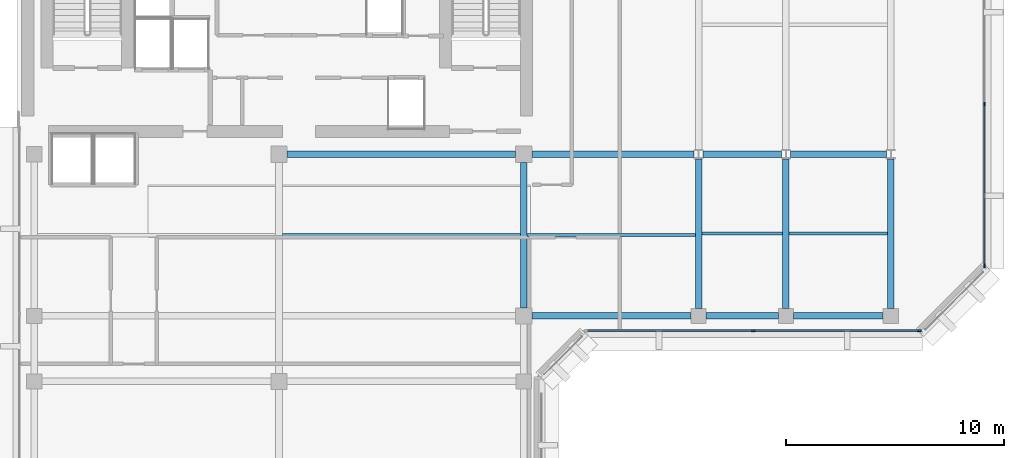
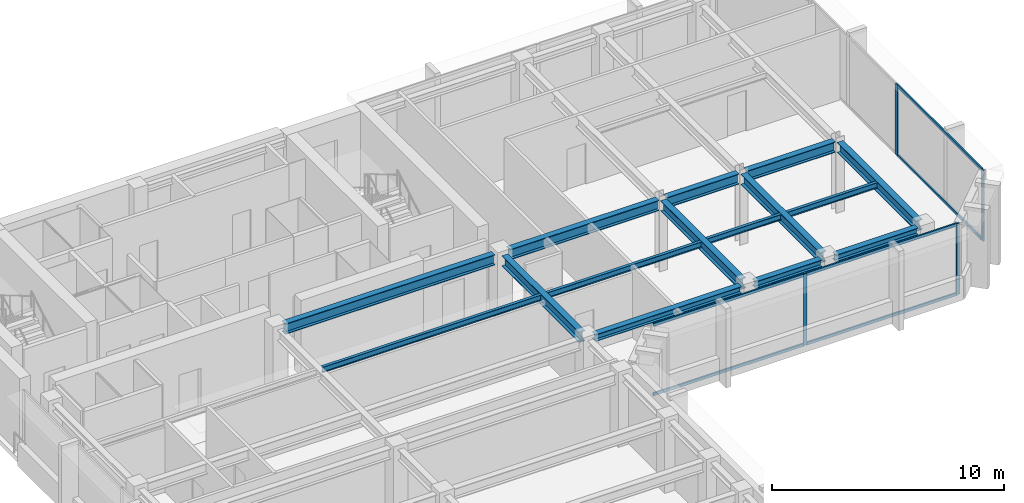
# One storey, part 3 of 12: 15 beams, 10 members, 2 elements without a shape of their own.
"""IFC4 building model written with IfcOpenShell, lengths in metres."""

from ifc_helpers import new_model, si_unit, direction, frame, origin, origin_2d, place, context, subcontext, project, spatial, rectangle, i_section, extrude, material, layer, layer_set, material_profile, profile_set, type_object, element, aggregate, save


model = new_model("IFC4")

# Units and contexts
model_context = context("Model", 3, precision=1e-05, world=origin(), true_north=direction((0.0, 1.0)))
body_context = subcontext(model_context, "Body", "Model", "MODEL_VIEW")
ifc_project = project(units=[si_unit("LENGTHUNIT", "METRE"), si_unit("AREAUNIT", "SQUARE_METRE"), si_unit("VOLUMEUNIT", "CUBIC_METRE"), si_unit("PLANEANGLEUNIT", "RADIAN"), si_unit("MASSUNIT", "GRAM", prefix="KILO")], contexts=[model_context])

# Site, building, storey
site_placement = place(None, origin())
site = spatial("IfcSite", under=ifc_project, at=site_placement, CompositionType="ELEMENT")
building_placement = place(site_placement, origin())
building = spatial("IfcBuilding", under=site, at=building_placement, Name="Kefirva Bronze Tower", CompositionType="ELEMENT")
storey_placement = place(building_placement, frame((0.0, 0.0, 339.570068359375)))
storey = spatial("IfcBuildingStorey", under=building, at=storey_placement, Name="L83", CompositionType="ELEMENT", Elevation=339.570068359375)

# Curtain wall, members
ifc_material_1 = material(Name="Bronze anodised aluminium", Category="aluminium")
ifc_layer = layer(ifc_material_1, 0.179931640625, Name="Bronze anodised aluminium")
ifc_layer_set = layer_set([ifc_layer], Name="Bronze anodised aluminium")
curtain_wall_type = type_object("IfcCurtainWallType", Name="Unitised Bronze Ribbon Curtain Wall Zone 4", PredefinedType="USERDEFINED", material=ifc_layer_set)
curtain_wall_1_placement = place(storey_placement, origin())
curtain_wall_1 = element("IfcCurtainWall", 1, at=curtain_wall_1_placement, inside=storey, type_object=curtain_wall_type, Name="L83 Curtain Wall 1", ObjectType="UNITISED CURTAIN WALL", PredefinedType="USERDEFINED")
ifc_material_profile_1 = material_profile(ifc_material_1, rectangle(XDim=0.074951171875, YDim=0.179931640625, at=origin_2d()), Name="ALU 75x180")
ifc_profile_set_1 = profile_set([ifc_material_profile_1], Name="Bronze anodised aluminium")
member_type_1 = type_object("IfcMemberType", Name="Bronze Mullion 75x180", PredefinedType="MULLION", material=ifc_profile_set_1)
member_1_placement = place(storey_placement, frame((33.699951171875, 25.1201171875, 0.0), z_axis=(0.0, 0.0, 1.0), x_axis=(0.0, 1.0, 0.0)))
member_1 = element("IfcMember", 2, at=member_1_placement, type_object=member_type_1, Name="CW-04 mullion 2", PredefinedType="MULLION", context=body_context, shape_type="SweptSolid", body=[
    extrude(rectangle(XDim=0.074951171875, YDim=0.179931640625, at=origin_2d()), origin(), (0.0, 0.0, 1.0), 3.739990234375),
])
member_2_placement = place(storey_placement, frame((41.3076171875, 25.1201171875, 0.0), z_axis=(0.0, 0.0, 1.0), x_axis=(0.0, 1.0, 0.0)))
member_2 = element("IfcMember", 3, at=member_2_placement, type_object=member_type_1, Name="CW-04 mullion 3", PredefinedType="MULLION", context=body_context, shape_type="SweptSolid", body=[
    extrude(rectangle(XDim=0.074951171875, YDim=0.179931640625, at=origin_2d()), origin(), (0.0, 0.0, 1.0), 3.739990234375),
])

curtain_wall_2_placement = place(storey_placement, origin())
curtain_wall_2 = element("IfcCurtainWall", 4, at=curtain_wall_2_placement, inside=storey, type_object=curtain_wall_type, Name="L83 Curtain Wall 2", ObjectType="UNITISED CURTAIN WALL", PredefinedType="USERDEFINED")
member_3_placement = place(storey_placement, frame((44.280029296875, 28.092529296875, 0.0), z_axis=(0.0, 0.0, 1.0), x_axis=(-1.0, 0.0, 0.0)))
member_3 = element("IfcMember", 5, at=member_3_placement, type_object=member_type_1, Name="CW-04 mullion 1", PredefinedType="MULLION", context=body_context, shape_type="SweptSolid", body=[
    extrude(rectangle(XDim=0.074951171875, YDim=0.179931640625, at=origin_2d()), origin(), (0.0, 0.0, 1.0), 3.739990234375),
])
member_4_placement = place(storey_placement, frame((44.280029296875, 35.5, 0.0), z_axis=(0.0, 0.0, 1.0), x_axis=(-1.0, 0.0, 0.0)))
member_4 = element("IfcMember", 6, at=member_4_placement, type_object=member_type_1, Name="CW-04 mullion 2", PredefinedType="MULLION", context=body_context, shape_type="SweptSolid", body=[
    extrude(rectangle(XDim=0.074951171875, YDim=0.179931640625, at=origin_2d()), origin(), (0.0, 0.0, 1.0), 3.739990234375),
])

# Member
ifc_material_profile_2 = material_profile(ifc_material_1, rectangle(XDim=0.074951171875, YDim=0.14990234375, at=origin_2d()), Name="ALU 75x150")
ifc_profile_set_2 = profile_set([ifc_material_profile_2], Name="Bronze anodised aluminium")
member_type_2 = type_object("IfcMemberType", Name="Bronze Transom 75x150", PredefinedType="USERDEFINED", material=ifc_profile_set_2)
member_5_placement = place(storey_placement, frame((26.1298828125, 25.1201171875, 0.037353515625), z_axis=(1.0, 0.0, 0.0), x_axis=(0.0, 1.0, 0.0)))
member_5 = element("IfcMember", 7, at=member_5_placement, type_object=member_type_2, Name="CW-04 transom 1.1", ObjectType="TRANSOM", PredefinedType="USERDEFINED", context=body_context, shape_type="SweptSolid", body=[
    extrude(rectangle(XDim=0.074951171875, YDim=0.14990234375, at=origin_2d()), origin(), (0.0, 0.0, 1.0), 7.53271484375),
])

member_6_placement = place(storey_placement, frame((26.1298828125, 25.1201171875, 3.702392578125), z_axis=(1.0, 0.0, 0.0), x_axis=(0.0, 1.0, 0.0)))
member_6 = element("IfcMember", 8, at=member_6_placement, type_object=member_type_2, Name="CW-04 transom 1.2", ObjectType="TRANSOM", PredefinedType="USERDEFINED", context=body_context, shape_type="SweptSolid", body=[
    extrude(rectangle(XDim=0.074951171875, YDim=0.14990234375, at=origin_2d()), origin(), (0.0, 0.0, 1.0), 7.53271484375),
])

member_7_placement = place(storey_placement, frame((33.737548828125, 25.1201171875, 0.037353515625), z_axis=(1.0, 0.0, 0.0), x_axis=(0.0, 1.0, 0.0)))
member_7 = element("IfcMember", 9, at=member_7_placement, type_object=member_type_2, Name="CW-04 transom 2.1", ObjectType="TRANSOM", PredefinedType="USERDEFINED", context=body_context, shape_type="SweptSolid", body=[
    extrude(rectangle(XDim=0.074951171875, YDim=0.14990234375, at=origin_2d()), origin(), (0.0, 0.0, 1.0), 7.532470703125),
])

member_8_placement = place(storey_placement, frame((33.737548828125, 25.1201171875, 3.702392578125), z_axis=(1.0, 0.0, 0.0), x_axis=(0.0, 1.0, 0.0)))
member_8 = element("IfcMember", 10, at=member_8_placement, type_object=member_type_2, Name="CW-04 transom 2.2", ObjectType="TRANSOM", PredefinedType="USERDEFINED", context=body_context, shape_type="SweptSolid", body=[
    extrude(rectangle(XDim=0.074951171875, YDim=0.14990234375, at=origin_2d()), origin(), (0.0, 0.0, 1.0), 7.532470703125),
])

aggregate(curtain_wall_1, [member_1, member_2, member_5, member_6, member_7, member_8])

member_9_placement = place(storey_placement, frame((44.280029296875, 28.1298828125, 0.037353515625), z_axis=(0.0, 1.0, 0.0), x_axis=(-1.0, 0.0, 0.0)))
member_9 = element("IfcMember", 11, at=member_9_placement, type_object=member_type_2, Name="CW-04 transom 1.1", ObjectType="TRANSOM", PredefinedType="USERDEFINED", context=body_context, shape_type="SweptSolid", body=[
    extrude(rectangle(XDim=0.074951171875, YDim=0.14990234375, at=origin_2d()), origin(), (0.0, 0.0, 1.0), 7.33251953125),
])

member_10_placement = place(storey_placement, frame((44.280029296875, 28.1298828125, 3.702392578125), z_axis=(0.0, 1.0, 0.0), x_axis=(-1.0, 0.0, 0.0)))
member_10 = element("IfcMember", 12, at=member_10_placement, type_object=member_type_2, Name="CW-04 transom 1.2", ObjectType="TRANSOM", PredefinedType="USERDEFINED", context=body_context, shape_type="SweptSolid", body=[
    extrude(rectangle(XDim=0.074951171875, YDim=0.14990234375, at=origin_2d()), origin(), (0.0, 0.0, 1.0), 7.33251953125),
])

aggregate(curtain_wall_2, [member_3, member_4, member_9, member_10])

# Beams
ifc_material_2 = material(Name="Steel S355", Category="steel")
ifc_material_profile_3 = material_profile(ifc_material_2, i_section(OverallWidth=0.14990234375, OverallDepth=0.300048828125, WebThickness=0.007080078125, FlangeThickness=0.0107421875, at=origin_2d()), Name="IPE 300")
ifc_profile_set_3 = profile_set([ifc_material_profile_3], Name="Steel S355")
beam_type_1 = type_object("IfcBeamType", Name="Steel Floor Joist IPE 300", PredefinedType="JOIST", material=ifc_profile_set_3)
beam_1_placement = place(storey_placement, frame((12.14990234375, 29.5, 3.58984375), z_axis=(1.0, 0.0, 0.0), x_axis=(0.0, 1.0, 0.0)))
element("IfcBeam", 13, at=beam_1_placement, inside=storey, type_object=beam_type_1, Name="L83 JST-L83-12-295", PredefinedType="JOIST", context=body_context, shape_type="SweptSolid", body=[
    extrude(i_section(OverallWidth=0.14990234375, OverallDepth=0.300048828125, WebThickness=0.007080078125, FlangeThickness=0.0107421875, at=origin_2d()), origin(), (0.0, 0.0, 1.0), 10.900146484375),
])
beam_2_placement = place(storey_placement, frame((23.35009765625, 29.5, 3.58984375), z_axis=(1.0, 0.0, 0.0), x_axis=(0.0, 1.0, 0.0)))
element("IfcBeam", 14, at=beam_2_placement, inside=storey, type_object=beam_type_1, Name="L83 JST-L83-23-295", PredefinedType="JOIST", context=body_context, shape_type="SweptSolid", body=[
    extrude(i_section(OverallWidth=0.14990234375, OverallDepth=0.300048828125, WebThickness=0.007080078125, FlangeThickness=0.0107421875, at=origin_2d()), origin(), (0.0, 0.0, 1.0), 7.699951171875),
])
beam_3_placement = place(storey_placement, frame((31.35009765625, 29.571044921875, 3.58984375), z_axis=(1.0, 0.0, 0.0), x_axis=(0.0, 1.0, 0.0)))
element("IfcBeam", 15, at=beam_3_placement, inside=storey, type_object=beam_type_1, Name="L83 JST-L83-31-295", PredefinedType="JOIST", context=body_context, shape_type="SweptSolid", body=[
    extrude(i_section(OverallWidth=0.14990234375, OverallDepth=0.300048828125, WebThickness=0.007080078125, FlangeThickness=0.0107421875, at=origin_2d()), origin(), (0.0, 0.0, 1.0), 3.699951171875),
])
beam_4_placement = place(storey_placement, frame((35.35009765625, 29.571044921875, 3.58984375), z_axis=(1.0, 0.0, 0.0), x_axis=(0.0, 1.0, 0.0)))
element("IfcBeam", 16, at=beam_4_placement, inside=storey, type_object=beam_type_1, Name="L83 JST-L83-35-295", PredefinedType="JOIST", context=body_context, shape_type="SweptSolid", body=[
    extrude(i_section(OverallWidth=0.14990234375, OverallDepth=0.300048828125, WebThickness=0.007080078125, FlangeThickness=0.0107421875, at=origin_2d()), origin(), (0.0, 0.0, 1.0), 4.5),
])
ifc_material_profile_4 = material_profile(ifc_material_2, i_section(OverallWidth=0.300048828125, OverallDepth=0.550048828125, WebThickness=0.014892578125, FlangeThickness=0.029052734375, at=origin_2d()), Name="HEB 550")
ifc_profile_set_4 = profile_set([ifc_material_profile_4], Name="Steel S355")
beam_type_2 = type_object("IfcBeamType", Name="Steel Girder HEB 550", PredefinedType="USERDEFINED", material=ifc_profile_set_4)
beam_5_placement = place(storey_placement, frame((12.3701171875, 33.199951171875, 3.46484375), z_axis=(1.0, 0.0, 0.0), x_axis=(0.0, 1.0, 0.0)))
element("IfcBeam", 17, at=beam_5_placement, inside=storey, type_object=beam_type_2, Name="L83 BM-L83-EW-12-332", ObjectType="GIRDER", PredefinedType="USERDEFINED", context=body_context, shape_type="SweptSolid", body=[
    extrude(i_section(OverallWidth=0.300048828125, OverallDepth=0.550048828125, WebThickness=0.014892578125, FlangeThickness=0.029052734375, at=origin_2d()), origin(), (0.0, 0.0, 1.0), 10.4599609375),
])
beam_6_placement = place(storey_placement, frame((23.570068359375, 33.199951171875, 3.46484375), z_axis=(1.0, 0.0, 0.0), x_axis=(0.0, 1.0, 0.0)))
element("IfcBeam", 18, at=beam_6_placement, inside=storey, type_object=beam_type_2, Name="L83 BM-L83-EW-23-332", ObjectType="GIRDER", PredefinedType="USERDEFINED", context=body_context, shape_type="SweptSolid", body=[
    extrude(i_section(OverallWidth=0.300048828125, OverallDepth=0.550048828125, WebThickness=0.014892578125, FlangeThickness=0.029052734375, at=origin_2d()), origin(), (0.0, 0.0, 1.0), 7.427001953125),
])
beam_7_placement = place(storey_placement, frame((31.403076171875, 33.199951171875, 3.46484375), z_axis=(1.0, 0.0, 0.0), x_axis=(0.0, 1.0, 0.0)))
element("IfcBeam", 19, at=beam_7_placement, inside=storey, type_object=beam_type_2, Name="L83 BM-L83-EW-31-332", ObjectType="GIRDER", PredefinedType="USERDEFINED", context=body_context, shape_type="SweptSolid", body=[
    extrude(i_section(OverallWidth=0.300048828125, OverallDepth=0.550048828125, WebThickness=0.014892578125, FlangeThickness=0.029052734375, at=origin_2d()), origin(), (0.0, 0.0, 1.0), 3.593994140625),
])
beam_8_placement = place(storey_placement, frame((35.403076171875, 33.199951171875, 3.46484375), z_axis=(1.0, 0.0, 0.0), x_axis=(0.0, 1.0, 0.0)))
element("IfcBeam", 20, at=beam_8_placement, inside=storey, type_object=beam_type_2, Name="L83 BM-L83-EW-35-332", ObjectType="GIRDER", PredefinedType="USERDEFINED", context=body_context, shape_type="SweptSolid", body=[
    extrude(i_section(OverallWidth=0.300048828125, OverallDepth=0.550048828125, WebThickness=0.014892578125, FlangeThickness=0.029052734375, at=origin_2d()), origin(), (0.0, 0.0, 1.0), 4.39404296875),
])
beam_9_placement = place(storey_placement, frame((23.199951171875, 26.169921875, 3.46484375), z_axis=(0.0, 1.0, 0.0), x_axis=(-1.0, 0.0, 0.0)))
element("IfcBeam", 21, at=beam_9_placement, inside=storey, type_object=beam_type_2, Name="L83 BM-L83-NS-232-25", ObjectType="GIRDER", PredefinedType="USERDEFINED", context=body_context, shape_type="SweptSolid", body=[
    extrude(i_section(OverallWidth=0.300048828125, OverallDepth=0.550048828125, WebThickness=0.014892578125, FlangeThickness=0.029052734375, at=origin_2d()), origin(), (0.0, 0.0, 1.0), 6.66015625),
])
for number, where, z_axis, x_axis, name in (
    (22, (31.199951171875, 26.14990234375, 3.46484375), (0.0, 1.0, 0.0), (-1.0, 0.0, 0.0), "L83 BM-L83-NS-312-25"),
    (23, (35.199951171875, 26.14990234375, 3.46484375), (0.0, 1.0, 0.0), (-1.0, 0.0, 0.0), "L83 BM-L83-NS-352-25"),
    (24, (40.0, 26.14990234375, 3.46484375), (0.0, 1.0, 0.0), (-1.0, 0.0, 0.0), "L83 BM-L83-NS-400-25"),
):
    element("IfcBeam", number, at=place(storey_placement, frame(where, z_axis=z_axis, x_axis=x_axis)), inside=storey, type_object=beam_type_2, Name=name, ObjectType="GIRDER", PredefinedType="USERDEFINED", context=body_context, shape_type="SweptSolid", body=[
        extrude(i_section(OverallWidth=0.300048828125, OverallDepth=0.550048828125, WebThickness=0.014892578125, FlangeThickness=0.029052734375, at=origin_2d()), origin(), (0.0, 0.0, 1.0), 6.842041015625),
    ])
ifc_material_profile_5 = material_profile(ifc_material_2, i_section(OverallWidth=0.300048828125, OverallDepth=0.360107421875, WebThickness=0.012451171875, FlangeThickness=0.0224609375, at=origin_2d()), Name="HEB 360")
ifc_profile_set_5 = profile_set([ifc_material_profile_5], Name="Steel S355")
beam_type_3 = type_object("IfcBeamType", Name="Steel Spandrel HEB 360 Ext", PredefinedType="SPANDREL", material=ifc_profile_set_5)
beam_10_placement = place(storey_placement, frame((23.570068359375, 25.800048828125, 3.559814453125), z_axis=(1.0, 0.0, 0.0), x_axis=(0.0, 1.0, 0.0)))
element("IfcBeam", 25, at=beam_10_placement, inside=storey, type_object=beam_type_3, Name="L83 BM-L83-EW-23-258", PredefinedType="SPANDREL", context=body_context, shape_type="SweptSolid", body=[
    extrude(i_section(OverallWidth=0.300048828125, OverallDepth=0.360107421875, WebThickness=0.012451171875, FlangeThickness=0.0224609375, at=origin_2d()), origin(), (0.0, 0.0, 1.0), 7.280029296875),
])
beam_11_placement = place(storey_placement, frame((31.550048828125, 25.800048828125, 3.559814453125), z_axis=(1.0, 0.0, 0.0), x_axis=(0.0, 1.0, 0.0)))
element("IfcBeam", 26, at=beam_11_placement, inside=storey, type_object=beam_type_3, Name="L83 BM-L83-EW-31-258", PredefinedType="SPANDREL", context=body_context, shape_type="SweptSolid", body=[
    extrude(i_section(OverallWidth=0.300048828125, OverallDepth=0.360107421875, WebThickness=0.012451171875, FlangeThickness=0.0224609375, at=origin_2d()), origin(), (0.0, 0.0, 1.0), 3.300048828125),
])
beam_12_placement = place(storey_placement, frame((35.550048828125, 25.800048828125, 3.559814453125), z_axis=(1.0, 0.0, 0.0), x_axis=(0.0, 1.0, 0.0)))
element("IfcBeam", 27, at=beam_12_placement, inside=storey, type_object=beam_type_3, Name="L83 BM-L83-EW-35-258", PredefinedType="SPANDREL", context=body_context, shape_type="SweptSolid", body=[
    extrude(i_section(OverallWidth=0.300048828125, OverallDepth=0.360107421875, WebThickness=0.012451171875, FlangeThickness=0.0224609375, at=origin_2d()), origin(), (0.0, 0.0, 1.0), 4.099853515625),
])

save(model, "model.ifc")
